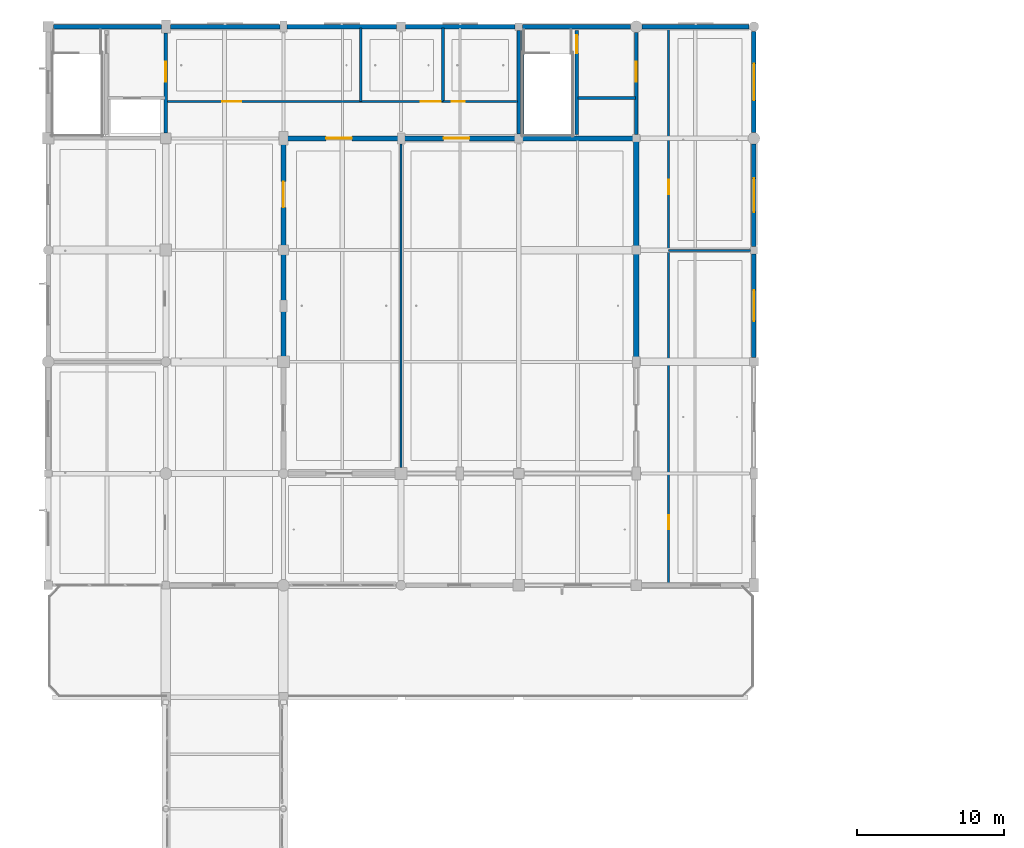
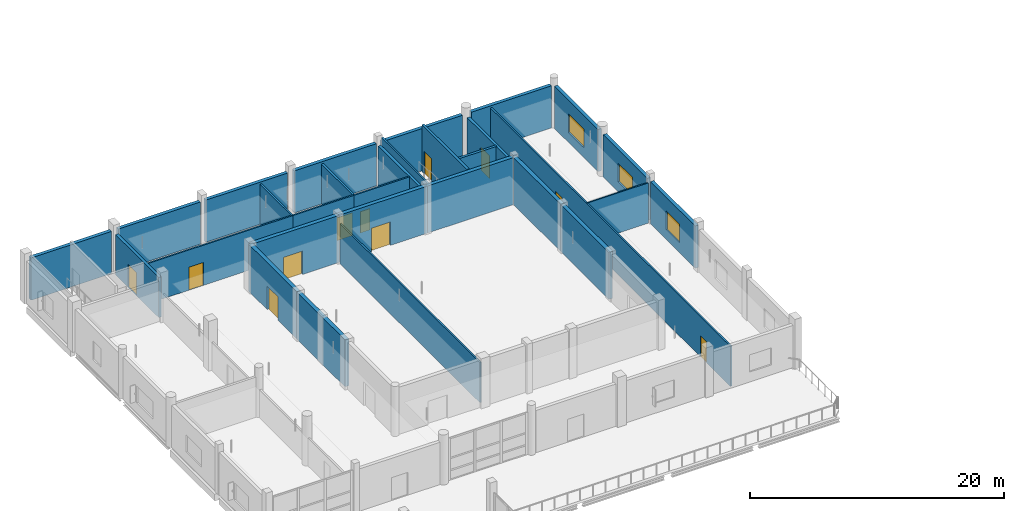
# One storey, part 93 of 141: 30 walls, 11 doors, 3 windows, 14 openings.
"""IFC4 building model written with IfcOpenShell, lengths in metres."""

import ifcopenshell
import ifcopenshell.guid

model = None  # the IFC model being written
_history = None  # IfcOwnerHistory: only IFC2X3 demands one
_inside = {}  # id of a spatial element -> (the spatial element, [elements in it])
_under = {}  # id of a project, library or spatial element -> (it, [spatial elements below it])
_declared = {}  # id of a project -> (the project, [libraries it declares])
_typed = {}  # id of a type object -> (the type object, [elements of that type])
_made_of = {}  # id of a material, layer set ... -> (it, [elements and type objects made of it])


def new_model(schema):
    """Start an empty IFC model of exactly this schema.

    Asked for "IFC4X3", IfcOpenShell would pick the latest addendum, in which some entities
    have other attributes; the version numbers below select the first issue.
    IFC2X3 requires an IfcOwnerHistory on every rooted entity: one is made here for all.
    """
    global model, _history
    if schema == "IFC4X3":
        model = ifcopenshell.file(schema_version=(4, 3, 0, 0))
    else:
        model = ifcopenshell.file(schema=schema)
    _inside.clear()
    _under.clear()
    _declared.clear()
    _typed.clear()
    _made_of.clear()
    _history = None
    if model.schema == "IFC2X3":
        org = make("IfcOrganization", Name="unknown")
        user = make(
            "IfcPersonAndOrganization",
            ThePerson=make("IfcPerson", FamilyName="unknown"),
            TheOrganization=org,
        )
        app = make(
            "IfcApplication",
            ApplicationDeveloper=org,
            Version="unknown",
            ApplicationFullName="unknown",
            ApplicationIdentifier="unknown",
        )
        _history = make(
            "IfcOwnerHistory",
            OwningUser=user,
            OwningApplication=app,
            ChangeAction="ADDED",
            CreationDate=0,
        )
    return model


def make(cls, **values):
    """One entity of the class cls with the attributes given. An attribute that is None is left unset."""
    return model.create_entity(
        cls, **{name: value for name, value in values.items() if value is not None}
    )


def rooted(cls, **values):
    """An entity with a GlobalId (a new one), such as an element, a storey or a relation."""
    return make(cls, GlobalId=ifcopenshell.guid.new(), OwnerHistory=_history, **values)


def si_unit(unit_type, name, prefix=None):
    """IfcSIUnit, for example si_unit("LENGTHUNIT", "METRE", prefix="MILLI")."""
    return make("IfcSIUnit", UnitType=unit_type, Prefix=prefix, Name=name)


def assignment(units):
    """IfcUnitAssignment: the units of a project."""
    return None if units is None else make("IfcUnitAssignment", Units=units)


def point(xyz):
    """IfcCartesianPoint."""
    return None if xyz is None else make("IfcCartesianPoint", Coordinates=xyz)


def direction(xyz):
    """IfcDirection."""
    return None if xyz is None else make("IfcDirection", DirectionRatios=xyz)


def frame(location, z_axis=None, x_axis=None):
    """IfcAxis2Placement3D, a coordinate frame: its origin and axes. An axis left out is left unset."""
    return make(
        "IfcAxis2Placement3D",
        Location=point(location),
        Axis=direction(z_axis),
        RefDirection=direction(x_axis),
    )


def frame_2d(location, x_axis=None):
    """IfcAxis2Placement2D, a coordinate frame in the plane: its origin and x axis."""
    return make(
        "IfcAxis2Placement2D", Location=point(location), RefDirection=direction(x_axis)
    )


def origin():
    """The frame at (0, 0, 0) with its axes left unset."""
    return frame((0.0, 0.0, 0.0))


def place(relative_to, where):
    """IfcLocalPlacement: puts the frame where relative to a parent placement (None: the world)."""
    return make(
        "IfcLocalPlacement", PlacementRelTo=relative_to, RelativePlacement=where
    )


def context(
    kind, dimensions, precision=None, world=None, true_north=None, identifier=None
):
    """IfcGeometricRepresentationContext, for example the 3D "Model" context."""
    return make(
        "IfcGeometricRepresentationContext",
        ContextIdentifier=identifier,
        ContextType=kind,
        CoordinateSpaceDimension=dimensions,
        Precision=precision,
        WorldCoordinateSystem=world,
        TrueNorth=true_north,
    )


def subcontext(parent, identifier, kind, view, scale=None):
    """IfcGeometricRepresentationSubContext, for example "Body" below "Model"."""
    return make(
        "IfcGeometricRepresentationSubContext",
        ContextIdentifier=identifier,
        ContextType=kind,
        ParentContext=parent,
        TargetScale=scale,
        TargetView=view,
    )


def project(units=None, contexts=None):
    """IfcProject with its units and contexts."""
    return rooted(
        "IfcProject",
        Name="project",
        RepresentationContexts=contexts,
        UnitsInContext=assignment(units),
    )


def spatial(cls, under=None, at=None, **own):
    """A site, building, storey or space (cls), placed at a placement, below another one or the project."""
    s = rooted(cls, ObjectPlacement=at, **own)
    if under is not None:
        _under.setdefault(under.id(), (under, []))[1].append(s)
    return s


def profile(cls, at=None, kind="AREA", **sizes):
    """A parametric profile (cls). Its sizes go by their IFC names, for example OverallWidth=200.0."""
    return make(cls, ProfileType=kind, Position=at, **sizes)


def rectangle(**sizes):
    """IfcRectangleProfileDef."""
    return profile("IfcRectangleProfileDef", **sizes)


def extrude(swept, where, along, depth):
    """IfcExtrudedAreaSolid: the profile swept, set in the frame where, extruded along a direction by depth."""
    return make(
        "IfcExtrudedAreaSolid",
        SweptArea=swept,
        Position=where,
        ExtrudedDirection=direction(along),
        Depth=depth,
    )


def shape(context_of_items, identifier, shape_type, items):
    """IfcShapeRepresentation: the items that make up one representation, for example the "Body"."""
    return make(
        "IfcShapeRepresentation",
        ContextOfItems=context_of_items,
        RepresentationIdentifier=identifier,
        RepresentationType=shape_type,
        Items=items,
    )


def material(Name=None, Category=None):
    """IfcMaterial."""
    return make("IfcMaterial", Name=Name, Category=Category)


def layer(
    of_material, thickness, ventilated=None, Name=None, Category=None, Priority=None
):
    """IfcMaterialLayer: one layer of a wall or slab, of a material (None: an air gap)."""
    return make(
        "IfcMaterialLayer",
        Material=of_material,
        LayerThickness=thickness,
        IsVentilated=ventilated,
        Name=Name,
        Category=Category,
        Priority=Priority,
    )


def layer_set(layers, Name=None):
    """IfcMaterialLayerSet."""
    return make("IfcMaterialLayerSet", MaterialLayers=layers, LayerSetName=Name)


def made_of(thing, what):
    """Note that an element or type object is made of a material, layer set ...; save() writes the relation."""
    if what is not None:
        _made_of.setdefault(what.id(), (what, []))[1].append(thing)
    return thing


def type_object(cls, material=None, **own):
    """A type object (cls), such as IfcWallType, which elements share."""
    return made_of(rooted(cls, **own), material)


def element(
    cls,
    number,
    at=None,
    inside=None,
    cuts=None,
    type_object=None,
    material=None,
    context=None,
    identifier="Body",
    shape_type=None,
    held_by="IfcProductDefinitionShape",
    body=None,
    shapes=None,
    **own,
):
    """One element of the class cls, such as IfcWall. Its Tag is "e" and its number.

    at: its placement. inside: the storey or other place that contains it. cuts: it is an
    opening in that element (IfcRelVoidsElement). A single representation is given by context,
    identifier, shape_type and body (its items); several are given by shapes. held_by: the class
    of the entity that holds the representations. save() writes the other relations.
    """
    e = rooted(cls, Tag="e%d" % number, ObjectPlacement=at, **own)
    if body is not None:
        shapes = [shape(context, identifier, shape_type, body)]
    if shapes is not None:
        e.Representation = make(held_by, Representations=shapes)
    if inside is not None:
        _inside.setdefault(inside.id(), (inside, []))[1].append(e)
    if cuts is not None:
        rooted(
            "IfcRelVoidsElement", RelatingBuildingElement=cuts, RelatedOpeningElement=e
        )
    if type_object is not None:
        _typed.setdefault(type_object.id(), (type_object, []))[1].append(e)
    return made_of(e, material)


def fill(opening, filler):
    """IfcRelFillsElement: the door or window that sits in an opening."""
    return rooted(
        "IfcRelFillsElement",
        RelatingOpeningElement=opening,
        RelatedBuildingElement=filler,
    )


def aggregate(whole, parts):
    """IfcRelAggregates: a whole, such as a stair, and the parts it consists of."""
    return rooted("IfcRelAggregates", RelatingObject=whole, RelatedObjects=parts)


def save(model, path):
    """Write the relations noted so far, then the file.

    IfcRelAggregates (storeys below a building ...), IfcRelContainedInSpatialStructure (elements
    in a storey), IfcRelDefinesByType, IfcRelAssociatesMaterial and IfcRelDeclares: one each for
    every whole, place, type object, material and project.
    """
    for whole, parts in _under.values():
        aggregate(whole, parts)
    for where, things in _inside.values():
        rooted(
            "IfcRelContainedInSpatialStructure",
            RelatedElements=things,
            RelatingStructure=where,
        )
    for kind, things in _typed.values():
        rooted("IfcRelDefinesByType", RelatedObjects=things, RelatingType=kind)
    for what, things in _made_of.values():
        rooted("IfcRelAssociatesMaterial", RelatedObjects=things, RelatingMaterial=what)
    for by, libraries in _declared.values():
        rooted("IfcRelDeclares", RelatingContext=by, RelatedDefinitions=libraries)
    model.write(path)


model = new_model("IFC4")

# Units and contexts
model_context = context("Model", 3, precision=1e-05, world=origin(), true_north=direction((0.0, 1.0)))
body_context = subcontext(model_context, "Body", "Model", "MODEL_VIEW")
ifc_project = project(units=[si_unit("LENGTHUNIT", "METRE"), si_unit("AREAUNIT", "SQUARE_METRE"), si_unit("VOLUMEUNIT", "CUBIC_METRE"), si_unit("PLANEANGLEUNIT", "RADIAN"), si_unit("MASSUNIT", "GRAM", prefix="KILO")], contexts=[model_context])

# Site, building, storey
site_placement = place(None, origin())
site = spatial("IfcSite", under=ifc_project, at=site_placement, CompositionType="ELEMENT")
building_placement = place(site_placement, origin())
building = spatial("IfcBuilding", under=site, at=building_placement, Name="Khelvaren Railside Concert Hall", CompositionType="ELEMENT")
storey_placement = place(building_placement, frame((0.0, 0.0, 10.199951171875)))
storey = spatial("IfcBuildingStorey", under=building, at=storey_placement, Name="L02", CompositionType="ELEMENT", Elevation=10.199951171875)

# Wall
ifc_material_1 = material(Name="Concrete C40/50", Category="concrete")
ifc_layer_1 = layer(ifc_material_1, 0.139892578125)
ifc_layer_set_1 = layer_set([ifc_layer_1], Name="Concrete C40/50")
wall_type_1 = type_object("IfcWallType", Name="CW17", PredefinedType="SOLIDWALL", material=ifc_layer_set_1)
wall_1_placement = place(storey_placement, frame((32.27490234375, 106.550048828125, 0.0), z_axis=(0.0, 0.0, 1.0), x_axis=(0.0, 1.0, 0.0)))
element("IfcWall", 1, at=wall_1_placement, inside=storey, type_object=wall_type_1, Name="Core Shaft Structural Liner Wall ST-08-L02", PredefinedType="SOLIDWALL", context=body_context, shape_type="SweptSolid", body=[
    extrude(rectangle(XDim=7.300048828125, YDim=0.139892578125, at=frame_2d((3.64990234375, 0.0))), origin(), (0.0, 0.0, 1.0), 4.52001953125),
])

# Wall, opening, door
ifc_layer_2 = layer(ifc_material_1, 0.25)
ifc_layer_set_2 = layer_set([ifc_layer_2], Name="Concrete C40/50")
wall_type_2 = type_object("IfcWallType", Name="CW82", PredefinedType="SOLIDWALL", material=ifc_layer_set_2)
wall_2_placement = place(storey_placement, frame((8.0, 106.75, 0.0), z_axis=(0.0, 0.0, 1.0), x_axis=(0.0, 1.0, 0.0)))
wall_2 = element("IfcWall", 2, at=wall_2_placement, inside=storey, type_object=wall_type_2, Name="Core Enclosure Wall CWALL-ST-07-L02-E", PredefinedType="SOLIDWALL", context=body_context, shape_type="SweptSolid", body=[
    extrude(rectangle(XDim=6.800048828125, YDim=0.25, at=frame_2d((3.39990234375, 0.0))), origin(), (0.0, 0.0, 1.0), 3.864990234375),
])
opening_1_placement = place(wall_2_placement, frame((3.5, 0.0, 0.0)))
opening_1 = element("IfcOpeningElement", 3, at=opening_1_placement, cuts=wall_2, Name="Opening FDR34", PredefinedType="OPENING", context=body_context, shape_type="SweptSolid", body=[
    extrude(rectangle(XDim=1.35009765625, YDim=2.199951171875, at=frame_2d((0.675048828125, 1.10009765625))), frame((0.0, 0.135009765625, 0.0), z_axis=(0.0, -1.0, 0.0), x_axis=(1.0, 0.0, 0.0)), (0.0, 0.0, 1.0), 0.27001953125),
])
ifc_material_2 = material(Name="Acoustic fire-rated timber-core steel frame door", Category="steel")
door_type_1 = type_object("IfcDoorType", Name="FDR34", OperationType="NOTDEFINED", PredefinedType="DOOR", material=ifc_material_2)
door_1_placement = place(opening_1_placement, origin())
door_1 = element("IfcDoor", 4, at=door_1_placement, inside=storey, type_object=door_type_1, Name="Interior Door DR-ST-07-L02-LOB", OperationType="SINGLE_SWING_LEFT", OverallHeight=2.199951171875, OverallWidth=1.35009765625, PredefinedType="DOOR", context=body_context, shape_type="SweptSolid", body=[
    extrude(rectangle(XDim=1.35009765625, YDim=2.199951171875, at=frame_2d((0.675048828125, 1.10009765625))), frame((0.0, 0.02490234375, 0.0), z_axis=(0.0, -1.0, 0.0), x_axis=(1.0, 0.0, 0.0)), (0.0, 0.0, 1.0), 0.050048828125),
])
fill(opening_1, door_1)

# Wall
wall_3_placement = place(storey_placement, frame((32.0, 106.699951171875, 0.0), z_axis=(0.0, 0.0, 1.0), x_axis=(0.0, 1.0, 0.0)))
element("IfcWall", 5, at=wall_3_placement, inside=storey, type_object=wall_type_2, Name="Core Enclosure Wall CWALL-ST-08-L02-W", PredefinedType="SOLIDWALL", context=body_context, shape_type="SweptSolid", body=[
    extrude(rectangle(XDim=7.050048828125, YDim=0.25, at=frame_2d((3.52490234375, 0.0))), origin(), (0.0, 0.0, 1.0), 3.864990234375),
])

# Wall, opening, door
wall_4_placement = place(storey_placement, frame((40.0, 106.64990234375, 0.0), z_axis=(0.0, 0.0, 1.0), x_axis=(0.0, 1.0, 0.0)))
wall_4 = element("IfcWall", 6, at=wall_4_placement, inside=storey, type_object=wall_type_2, Name="Core Enclosure Wall CWALL-ST-08-L02-E", PredefinedType="SOLIDWALL", context=body_context, shape_type="SweptSolid", body=[
    extrude(rectangle(XDim=6.9501953125, YDim=0.25, at=frame_2d((3.47509765625, 0.0))), origin(), (0.0, 0.0, 1.0), 3.864990234375),
])
opening_2_placement = place(wall_4_placement, frame((3.60009765625, 0.0, 0.0)))
opening_2 = element("IfcOpeningElement", 7, at=opening_2_placement, cuts=wall_4, Name="Opening FDR34", PredefinedType="OPENING", context=body_context, shape_type="SweptSolid", body=[
    extrude(rectangle(XDim=1.35009765625, YDim=2.199951171875, at=frame_2d((0.675048828125, 1.10009765625))), frame((0.0, 0.135009765625, 0.0), z_axis=(0.0, -1.0, 0.0), x_axis=(1.0, 0.0, 0.0)), (0.0, 0.0, 1.0), 0.27001953125),
])
door_2_placement = place(opening_2_placement, origin())
door_2 = element("IfcDoor", 8, at=door_2_placement, inside=storey, type_object=door_type_1, Name="Interior Door DR-ST-08-L02-LOB", OperationType="SINGLE_SWING_LEFT", OverallHeight=2.199951171875, OverallWidth=1.35009765625, PredefinedType="DOOR", context=body_context, shape_type="SweptSolid", body=[
    extrude(rectangle(XDim=1.35009765625, YDim=2.199951171875, at=frame_2d((0.675048828125, 1.10009765625))), frame((0.0, 0.02490234375, 0.0), z_axis=(0.0, -1.0, 0.0), x_axis=(1.0, 0.0, 0.0)), (0.0, 0.0, 1.0), 0.050048828125),
])
fill(opening_2, door_2)

ifc_layer_3 = layer(ifc_material_1, 0.219970703125)
ifc_layer_set_3 = layer_set([ifc_layer_3], Name="Concrete C40/50")
wall_type_3 = type_object("IfcWallType", Name="CW97", PredefinedType="SOLIDWALL", material=ifc_layer_set_3)
wall_5_placement = place(storey_placement, frame((35.949951171875, 106.64990234375, 0.0), z_axis=(0.0, 0.0, 1.0), x_axis=(0.0, 1.0, 0.0)))
wall_5 = element("IfcWall", 9, at=wall_5_placement, inside=storey, type_object=wall_type_3, Name="Core Enclosure Wall CWALL-ST-08-L02-MID", PredefinedType="SOLIDWALL", context=body_context, shape_type="SweptSolid", body=[
    extrude(rectangle(XDim=7.10009765625, YDim=0.219970703125, at=frame_2d((3.550048828125, 0.0))), origin(), (0.0, 0.0, 1.0), 4.52001953125),
])
opening_3_placement = place(wall_5_placement, frame((5.550048828125, 0.0, 0.0)))
opening_3 = element("IfcOpeningElement", 10, at=opening_3_placement, cuts=wall_5, Name="Opening FDR17", PredefinedType="OPENING", context=body_context, shape_type="SweptSolid", body=[
    extrude(rectangle(XDim=1.199951171875, YDim=2.14990234375, at=frame_2d((0.60009765625, 1.074951171875))), frame((0.0, 0.119873046875, 0.0), z_axis=(0.0, -1.0, 0.0), x_axis=(1.0, 0.0, 0.0)), (0.0, 0.0, 1.0), 0.239990234375),
])
door_type_2 = type_object("IfcDoorType", Name="FDR17", OperationType="NOTDEFINED", PredefinedType="DOOR", material=ifc_material_2)
door_3_placement = place(opening_3_placement, origin())
door_3 = element("IfcDoor", 11, at=door_3_placement, inside=storey, type_object=door_type_2, Name="Interior Door DR-ST-08-L02-ST", OperationType="SINGLE_SWING_RIGHT", OverallHeight=2.14990234375, OverallWidth=1.199951171875, PredefinedType="DOOR", context=body_context, shape_type="SweptSolid", body=[
    extrude(rectangle(XDim=1.199951171875, YDim=2.14990234375, at=frame_2d((0.60009765625, 1.074951171875))), frame((0.0, 0.02490234375, 0.0), z_axis=(0.0, -1.0, 0.0), x_axis=(1.0, 0.0, 0.0)), (0.0, 0.0, 1.0), 0.050048828125),
])
fill(opening_3, door_3)

# Walls
wall_6_placement = place(storey_placement, frame((36.02001953125, 109.14990234375, 0.0), z_axis=(0.0, 0.0, 1.0), x_axis=(1.0, 0.0, 0.0)))
element("IfcWall", 12, at=wall_6_placement, inside=storey, type_object=wall_type_3, Name="Core Enclosure Wall CWALL-ST-08-L02-SHF", PredefinedType="SOLIDWALL", context=body_context, shape_type="SweptSolid", body=[
    extrude(rectangle(XDim=3.929931640625, YDim=0.219970703125, at=frame_2d((1.96484375, 0.0))), origin(), (0.0, 0.0, 1.0), 3.864990234375),
])
ifc_material_3 = material(Name="Board-marked architectural concrete C40/50", Category="concrete")
ifc_layer_4 = layer(ifc_material_3, 0.31005859375)
ifc_layer_set_4 = layer_set([ifc_layer_4], Name="Board-marked architectural concrete C40/50")
wall_type_4 = type_object("IfcWallType", Name="EW33", PredefinedType="SOLIDWALL", material=ifc_layer_set_4)
wall_7_placement = place(storey_placement, frame((0.35009765625, 114.0, 0.0), z_axis=(0.0, 0.0, 1.0), x_axis=(1.0, 0.0, 0.0)))
element("IfcWall", 13, at=wall_7_placement, inside=storey, type_object=wall_type_4, Name="V4 L02 Exterior Concrete Wall N-0", PredefinedType="SOLIDWALL", context=body_context, shape_type="SweptSolid", body=[
    extrude(rectangle(XDim=7.349853515625, YDim=0.31005859375, at=frame_2d((3.6748046875, 0.0))), origin(), (0.0, 0.0, 1.0), 4.06005859375),
])
for number, where, z_axis, x_axis, name in (
    (14, (8.300048828125, 114.0, 0.0), (0.0, 0.0, 1.0), (1.0, 0.0, 0.0), "V4 L02 Exterior Concrete Wall N-8"),
    (15, (16.25, 114.0, 0.0), (0.0, 0.0, 1.0), (1.0, 0.0, 0.0), "V4 L02 Exterior Concrete Wall N-16"),
    (16, (24.300048828125, 114.0, 0.0), (0.0, 0.0, 1.0), (1.0, 0.0, 0.0), "V4 L02 Exterior Concrete Wall N-24"),
):
    element("IfcWall", number, at=place(storey_placement, frame(where, z_axis=z_axis, x_axis=x_axis)), inside=storey, type_object=wall_type_4, Name=name, PredefinedType="SOLIDWALL", context=body_context, shape_type="SweptSolid", body=[
        extrude(rectangle(XDim=7.449951171875, YDim=0.31005859375, at=frame_2d((3.72509765625, 0.0))), origin(), (0.0, 0.0, 1.0), 4.06005859375),
    ])
wall_8_placement = place(storey_placement, frame((32.25, 114.0, 0.0), z_axis=(0.0, 0.0, 1.0), x_axis=(1.0, 0.0, 0.0)))
element("IfcWall", 17, at=wall_8_placement, inside=storey, type_object=wall_type_4, Name="V4 L02 Exterior Concrete Wall N-32", PredefinedType="SOLIDWALL", context=body_context, shape_type="SweptSolid", body=[
    extrude(rectangle(XDim=7.35009765625, YDim=0.31005859375, at=frame_2d((3.675048828125, 0.0))), origin(), (0.0, 0.0, 1.0), 4.06005859375),
])
wall_9_placement = place(storey_placement, frame((40.39990234375, 114.0, 0.0), z_axis=(0.0, 0.0, 1.0), x_axis=(1.0, 0.0, 0.0)))
element("IfcWall", 18, at=wall_9_placement, inside=storey, type_object=wall_type_4, Name="V4 L02 Exterior Concrete Wall N-40", PredefinedType="SOLIDWALL", context=body_context, shape_type="SweptSolid", body=[
    extrude(rectangle(XDim=7.275146484375, YDim=0.31005859375, at=frame_2d((3.6376953125, 0.0))), origin(), (0.0, 0.0, 1.0), 4.06005859375),
])

# Wall, opening, window
wall_10_placement = place(storey_placement, frame((48.0, 98.550048828125, 0.0), z_axis=(0.0, 0.0, 1.0), x_axis=(0.0, -1.0, 0.0)))
wall_10 = element("IfcWall", 19, at=wall_10_placement, inside=storey, type_object=wall_type_4, Name="V4 L02 Exterior Concrete Wall E-91", PredefinedType="SOLIDWALL", context=body_context, shape_type="SweptSolid", body=[
    extrude(rectangle(XDim=7.050048828125, YDim=0.31005859375, at=frame_2d((3.52490234375, 0.0))), origin(), (0.0, 0.0, 1.0), 4.06005859375),
])
opening_4_placement = place(wall_10_placement, frame((2.47509765625, 0.0, 0.949951171875)))
opening_4 = element("IfcOpeningElement", 20, at=opening_4_placement, cuts=wall_10, Name="Opening WN14", PredefinedType="OPENING", context=body_context, shape_type="SweptSolid", body=[
    extrude(rectangle(XDim=2.10009765625, YDim=1.800048828125, at=frame_2d((1.050048828125, 0.89990234375))), frame((0.0, 0.1650390625, 0.0), z_axis=(0.0, -1.0, 0.0), x_axis=(1.0, 0.0, 0.0)), (0.0, 0.0, 1.0), 0.330078125),
])
ifc_material_4 = material(Name="Triple-glazed acoustic aluminium window", Category="aluminium")
window_type_1 = type_object("IfcWindowType", Name="WN14", PartitioningType="DOUBLE_PANEL_VERTICAL", PredefinedType="WINDOW", material=ifc_material_4)
window_1_placement = place(opening_4_placement, origin())
window_1 = element("IfcWindow", 21, at=window_1_placement, inside=storey, type_object=window_type_1, Name="Acoustic Facade Window EW-V4-L02-E-91", OverallHeight=1.800048828125, OverallWidth=2.10009765625, PartitioningType="DOUBLE_PANEL_VERTICAL", PredefinedType="WINDOW", context=body_context, shape_type="SweptSolid", body=[
    extrude(rectangle(XDim=2.10009765625, YDim=1.800048828125, at=frame_2d((1.050048828125, 0.89990234375))), frame((0.0, 0.030029296875, 0.0), z_axis=(0.0, -1.0, 0.0), x_axis=(1.0, 0.0, 0.0)), (0.0, 0.0, 1.0), 0.06005859375),
])
fill(opening_4, window_1)

wall_11_placement = place(storey_placement, frame((48.0, 106.0, 0.0), z_axis=(0.0, 0.0, 1.0), x_axis=(0.0, -1.0, 0.0)))
wall_11 = element("IfcWall", 22, at=wall_11_placement, inside=storey, type_object=wall_type_4, Name="V4 L02 Exterior Concrete Wall E-99", PredefinedType="SOLIDWALL", context=body_context, shape_type="SweptSolid", body=[
    extrude(rectangle(XDim=6.949951171875, YDim=0.31005859375, at=frame_2d((3.47509765625, 0.0))), origin(), (0.0, 0.0, 1.0), 4.06005859375),
])
opening_5_placement = place(wall_11_placement, frame((2.324951171875, 0.0, 0.949951171875)))
opening_5 = element("IfcOpeningElement", 23, at=opening_5_placement, cuts=wall_11, Name="Opening WN63", PredefinedType="OPENING", context=body_context, shape_type="SweptSolid", body=[
    extrude(rectangle(XDim=2.300048828125, YDim=1.800048828125, at=frame_2d((1.14990234375, 0.89990234375))), frame((0.0, 0.1650390625, 0.0), z_axis=(0.0, -1.0, 0.0), x_axis=(1.0, 0.0, 0.0)), (0.0, 0.0, 1.0), 0.330078125),
])
window_type_2 = type_object("IfcWindowType", Name="WN63", PartitioningType="DOUBLE_PANEL_VERTICAL", PredefinedType="WINDOW", material=ifc_material_4)
window_2_placement = place(opening_5_placement, origin())
window_2 = element("IfcWindow", 24, at=window_2_placement, inside=storey, type_object=window_type_2, Name="Acoustic Facade Window EW-V4-L02-E-99", OverallHeight=1.800048828125, OverallWidth=2.300048828125, PartitioningType="DOUBLE_PANEL_VERTICAL", PredefinedType="WINDOW", context=body_context, shape_type="SweptSolid", body=[
    extrude(rectangle(XDim=2.300048828125, YDim=1.800048828125, at=frame_2d((1.14990234375, 0.89990234375))), frame((0.0, 0.030029296875, 0.0), z_axis=(0.0, -1.0, 0.0), x_axis=(1.0, 0.0, 0.0)), (0.0, 0.0, 1.0), 0.06005859375),
])
fill(opening_5, window_2)

wall_12_placement = place(storey_placement, frame((48.0, 113.675048828125, 0.0), z_axis=(0.0, 0.0, 1.0), x_axis=(0.0, -1.0, 0.0)))
wall_12 = element("IfcWall", 25, at=wall_12_placement, inside=storey, type_object=wall_type_4, Name="V4 L02 Exterior Concrete Wall E-106", PredefinedType="SOLIDWALL", context=body_context, shape_type="SweptSolid", body=[
    extrude(rectangle(XDim=6.875, YDim=0.31005859375, at=frame_2d((3.4375, 0.0))), origin(), (0.0, 0.0, 1.0), 4.06005859375),
])
opening_6_placement = place(wall_12_placement, frame((2.1875, 0.0, 0.949951171875)))
opening_6 = element("IfcOpeningElement", 26, at=opening_6_placement, cuts=wall_12, Name="Opening WN27", PredefinedType="OPENING", context=body_context, shape_type="SweptSolid", body=[
    extrude(rectangle(XDim=2.5, YDim=1.800048828125, at=frame_2d((1.25, 0.89990234375))), frame((0.0, 0.1650390625, 0.0), z_axis=(0.0, -1.0, 0.0), x_axis=(1.0, 0.0, 0.0)), (0.0, 0.0, 1.0), 0.330078125),
])
window_type_3 = type_object("IfcWindowType", Name="WN27", PartitioningType="DOUBLE_PANEL_VERTICAL", PredefinedType="WINDOW", material=ifc_material_4)
window_3_placement = place(opening_6_placement, origin())
window_3 = element("IfcWindow", 27, at=window_3_placement, inside=storey, type_object=window_type_3, Name="Acoustic Facade Window EW-V4-L02-E-106", OverallHeight=1.800048828125, OverallWidth=2.5, PartitioningType="DOUBLE_PANEL_VERTICAL", PredefinedType="WINDOW", context=body_context, shape_type="SweptSolid", body=[
    extrude(rectangle(XDim=2.5, YDim=1.800048828125, at=frame_2d((1.25, 0.89990234375))), frame((0.0, 0.030029296875, 0.0), z_axis=(0.0, -1.0, 0.0), x_axis=(1.0, 0.0, 0.0)), (0.0, 0.0, 1.0), 0.06005859375),
])
fill(opening_6, window_3)

# Walls
ifc_material_5 = material(Name="Acoustic double-stud gypsum partition", Category="gypsum")
ifc_layer_5 = layer(ifc_material_5, 0.139892578125)
ifc_layer_set_5 = layer_set([ifc_layer_5], Name="Acoustic double-stud gypsum partition")
wall_type_5 = type_object("IfcWallType", Name="PT41", PredefinedType="PARTITIONING", material=ifc_layer_set_5)
wall_13_placement = place(storey_placement, frame((24.0, 84.0, 0.0), z_axis=(0.0, 0.0, 1.0), x_axis=(0.0, 1.0, 0.0)))
element("IfcWall", 28, at=wall_13_placement, inside=storey, type_object=wall_type_5, Name="Acoustic Partition Wall PW-V4-L02-MID-D01", PredefinedType="PARTITIONING", context=body_context, shape_type="SweptSolid", body=[
    extrude(rectangle(XDim=22.02490234375, YDim=0.139892578125, at=frame_2d((11.012451171875, 0.0))), origin(), (0.0, 0.0, 1.0), 3.864990234375),
])
ifc_layer_6 = layer(ifc_material_5, 0.179931640625)
ifc_layer_set_6 = layer_set([ifc_layer_6], Name="Acoustic double-stud gypsum partition")
wall_type_6 = type_object("IfcWallType", Name="PT53", PredefinedType="PARTITIONING", material=ifc_layer_set_6)
wall_14_placement = place(storey_placement, frame((26.847900390625, 108.89990234375, 0.0), z_axis=(0.0, 0.0, 1.0), x_axis=(0.0, 1.0, 0.0)))
element("IfcWall", 29, at=wall_14_placement, inside=storey, type_object=wall_type_6, Name="Acoustic Partition Wall PW-V4-L02-NB-D02", PredefinedType="PARTITIONING", context=body_context, shape_type="SweptSolid", body=[
    extrude(rectangle(XDim=5.02001953125, YDim=0.179931640625, at=frame_2d((2.510009765625, 0.0))), origin(), (0.0, 0.0, 1.0), 3.864990234375),
])

# Wall, opening, door
ifc_layer_7 = layer(ifc_material_5, 0.139892578125)
ifc_layer_set_7 = layer_set([ifc_layer_7], Name="Acoustic double-stud gypsum partition")
wall_type_7 = type_object("IfcWallType", Name="PT55", PredefinedType="PARTITIONING", material=ifc_layer_set_7)
wall_15_placement = place(storey_placement, frame((8.080078125, 108.89990234375, 0.0), z_axis=(0.0, 0.0, 1.0), x_axis=(1.0, 0.0, 0.0)))
wall_15 = element("IfcWall", 30, at=wall_15_placement, inside=storey, type_object=wall_type_7, Name="Acoustic Partition Wall PW-V4-L02-NB-C01", PredefinedType="PARTITIONING", context=body_context, shape_type="SweptSolid", body=[
    extrude(rectangle(XDim=13.18798828125, YDim=0.139892578125, at=frame_2d((6.593994140625, 0.0))), origin(), (0.0, 0.0, 1.0), 3.864990234375),
])
opening_7_placement = place(wall_15_placement, frame((3.744384765625, 0.0, 0.0)))
opening_7 = element("IfcOpeningElement", 31, at=opening_7_placement, cuts=wall_15, Name="Opening IDR18", PredefinedType="OPENING", context=body_context, shape_type="SweptSolid", body=[
    extrude(rectangle(XDim=1.300048828125, YDim=2.199951171875, at=frame_2d((0.64990234375, 1.10009765625))), frame((0.0, 0.079833984375, 0.0), z_axis=(0.0, -1.0, 0.0), x_axis=(1.0, 0.0, 0.0)), (0.0, 0.0, 1.0), 0.159912109375),
])
ifc_material_6 = material(Name="Solid oak acoustic studio door", Category="wood")
door_type_3 = type_object("IfcDoorType", Name="IDR18", OperationType="NOTDEFINED", PredefinedType="DOOR", material=ifc_material_6)
door_4_placement = place(opening_7_placement, origin())
door_4 = element("IfcDoor", 32, at=door_4_placement, inside=storey, type_object=door_type_3, Name="Interior Door DR-V4-L02-NB-01", OperationType="SINGLE_SWING_LEFT", OverallHeight=2.199951171875, OverallWidth=1.300048828125, PredefinedType="DOOR", context=body_context, shape_type="SweptSolid", body=[
    extrude(rectangle(XDim=1.300048828125, YDim=2.199951171875, at=frame_2d((0.64990234375, 1.10009765625))), frame((0.0, 0.02490234375, 0.0), z_axis=(0.0, -1.0, 0.0), x_axis=(1.0, 0.0, 0.0)), (0.0, 0.0, 1.0), 0.050048828125),
])
fill(opening_7, door_4)

wall_16_placement = place(storey_placement, frame((21.26806640625, 108.89990234375, 0.0), z_axis=(0.0, 0.0, 1.0), x_axis=(1.0, 0.0, 0.0)))
wall_16 = element("IfcWall", 33, at=wall_16_placement, inside=storey, type_object=wall_type_7, Name="Acoustic Partition Wall PW-V4-L02-NB-C02", PredefinedType="PARTITIONING", context=body_context, shape_type="SweptSolid", body=[
    extrude(rectangle(XDim=5.579833984375, YDim=0.139892578125, at=frame_2d((2.7900390625, 0.0))), origin(), (0.0, 0.0, 1.0), 3.864990234375),
])
opening_8_placement = place(wall_16_placement, frame((4.06005859375, 0.0, 0.0)))
opening_8 = element("IfcOpeningElement", 34, at=opening_8_placement, cuts=wall_16, Name="Opening IDR82", PredefinedType="OPENING", context=body_context, shape_type="SweptSolid", body=[
    extrude(rectangle(XDim=1.3798828125, YDim=2.199951171875, at=frame_2d((0.68994140625, 1.10009765625))), frame((0.0, 0.079833984375, 0.0), z_axis=(0.0, -1.0, 0.0), x_axis=(1.0, 0.0, 0.0)), (0.0, 0.0, 1.0), 0.159912109375),
])
door_type_4 = type_object("IfcDoorType", Name="IDR82", OperationType="NOTDEFINED", PredefinedType="DOOR", material=ifc_material_6)
door_5_placement = place(opening_8_placement, origin())
door_5 = element("IfcDoor", 35, at=door_5_placement, inside=storey, type_object=door_type_4, Name="Interior Door DR-V4-L02-NB-02", OperationType="SINGLE_SWING_RIGHT", OverallHeight=2.199951171875, OverallWidth=1.3798828125, PredefinedType="DOOR", context=body_context, shape_type="SweptSolid", body=[
    extrude(rectangle(XDim=1.3798828125, YDim=2.199951171875, at=frame_2d((0.68994140625, 1.10009765625))), frame((0.0, 0.02490234375, 0.0), z_axis=(0.0, -1.0, 0.0), x_axis=(1.0, 0.0, 0.0)), (0.0, 0.0, 1.0), 0.050048828125),
])
fill(opening_8, door_5)

wall_17_placement = place(storey_placement, frame((26.847900390625, 108.89990234375, 0.0), z_axis=(0.0, 0.0, 1.0), x_axis=(1.0, 0.0, 0.0)))
wall_17 = element("IfcWall", 36, at=wall_17_placement, inside=storey, type_object=wall_type_7, Name="Acoustic Partition Wall PW-V4-L02-NB-C03", PredefinedType="PARTITIONING", context=body_context, shape_type="SweptSolid", body=[
    extrude(rectangle(XDim=5.072021484375, YDim=0.139892578125, at=frame_2d((2.5361328125, 0.0))), origin(), (0.0, 0.0, 1.0), 3.864990234375),
])
opening_9_placement = place(wall_17_placement, frame((0.583251953125, 0.0, 0.0)))
opening_9 = element("IfcOpeningElement", 37, at=opening_9_placement, cuts=wall_17, Name="Opening IDR59", PredefinedType="OPENING", context=body_context, shape_type="SweptSolid", body=[
    extrude(rectangle(XDim=0.89990234375, YDim=2.050048828125, at=frame_2d((0.449951171875, 1.02490234375))), frame((0.0, 0.079833984375, 0.0), z_axis=(0.0, -1.0, 0.0), x_axis=(1.0, 0.0, 0.0)), (0.0, 0.0, 1.0), 0.159912109375),
])
door_type_5 = type_object("IfcDoorType", Name="IDR59", OperationType="NOTDEFINED", PredefinedType="DOOR", material=ifc_material_6)
door_6_placement = place(opening_9_placement, origin())
door_6 = element("IfcDoor", 38, at=door_6_placement, inside=storey, type_object=door_type_5, Name="Interior Door DR-V4-L02-NB-03", OperationType="SINGLE_SWING_LEFT", OverallHeight=2.050048828125, OverallWidth=0.89990234375, PredefinedType="DOOR", context=body_context, shape_type="SweptSolid", body=[
    extrude(rectangle(XDim=0.89990234375, YDim=2.050048828125, at=frame_2d((0.449951171875, 1.02490234375))), frame((0.0, 0.02490234375, 0.0), z_axis=(0.0, -1.0, 0.0), x_axis=(1.0, 0.0, 0.0)), (0.0, 0.0, 1.0), 0.050048828125),
])
fill(opening_9, door_6)

# Wall, openings, doors
wall_18_placement = place(storey_placement, frame((42.199951171875, 76.080078125, 0.0), z_axis=(0.0, 0.0, 1.0), x_axis=(0.0, 1.0, 0.0)))
wall_18 = element("IfcWall", 39, at=wall_18_placement, inside=storey, type_object=wall_type_7, Name="Acoustic Partition Wall PW-V4-L02-EB-W", PredefinedType="PARTITIONING", context=body_context, shape_type="SweptSolid", body=[
    extrude(rectangle(XDim=37.83984375, YDim=0.139892578125, at=frame_2d((18.919921875, 0.0))), origin(), (0.0, 0.0, 1.0), 3.864990234375),
])
opening_10_placement = place(wall_18_placement, frame((3.719970703125, 0.0, 0.0)))
opening_10 = element("IfcOpeningElement", 40, at=opening_10_placement, cuts=wall_18, Name="Opening IDR23", PredefinedType="OPENING", context=body_context, shape_type="SweptSolid", body=[
    extrude(rectangle(XDim=0.97998046875, YDim=2.050048828125, at=frame_2d((0.489990234375, 1.02490234375))), frame((0.0, 0.079833984375, 0.0), z_axis=(0.0, -1.0, 0.0), x_axis=(1.0, 0.0, 0.0)), (0.0, 0.0, 1.0), 0.159912109375),
])
opening_11_placement = place(wall_18_placement, frame((26.52001953125, 0.0, 0.0)))
opening_11 = element("IfcOpeningElement", 41, at=opening_11_placement, cuts=wall_18, Name="Opening IDR21", PredefinedType="OPENING", context=body_context, shape_type="SweptSolid", body=[
    extrude(rectangle(XDim=1.0, YDim=2.050048828125, at=frame_2d((0.5, 1.02490234375))), frame((0.0, 0.079833984375, 0.0), z_axis=(0.0, -1.0, 0.0), x_axis=(1.0, 0.0, 0.0)), (0.0, 0.0, 1.0), 0.159912109375),
])
door_type_6 = type_object("IfcDoorType", Name="IDR21", OperationType="NOTDEFINED", PredefinedType="DOOR", material=ifc_material_6)
door_7_placement = place(opening_11_placement, origin())
door_7 = element("IfcDoor", 42, at=door_7_placement, inside=storey, type_object=door_type_6, Name="Interior Door DR-V4-L02-EB-02", OperationType="SINGLE_SWING_LEFT", OverallHeight=2.050048828125, OverallWidth=1.0, PredefinedType="DOOR", context=body_context, shape_type="SweptSolid", body=[
    extrude(rectangle(XDim=1.0, YDim=2.050048828125, at=frame_2d((0.5, 1.02490234375))), frame((0.0, 0.02490234375, 0.0), z_axis=(0.0, -1.0, 0.0), x_axis=(1.0, 0.0, 0.0)), (0.0, 0.0, 1.0), 0.050048828125),
])
fill(opening_11, door_7)
door_type_7 = type_object("IfcDoorType", Name="IDR23", OperationType="NOTDEFINED", PredefinedType="DOOR", material=ifc_material_6)
door_8_placement = place(opening_10_placement, origin())
door_8 = element("IfcDoor", 43, at=door_8_placement, inside=storey, type_object=door_type_7, Name="Interior Door DR-V4-L02-EB-01", OperationType="SINGLE_SWING_RIGHT", OverallHeight=2.050048828125, OverallWidth=0.97998046875, PredefinedType="DOOR", context=body_context, shape_type="SweptSolid", body=[
    extrude(rectangle(XDim=0.97998046875, YDim=2.050048828125, at=frame_2d((0.489990234375, 1.02490234375))), frame((0.0, 0.02490234375, 0.0), z_axis=(0.0, -1.0, 0.0), x_axis=(1.0, 0.0, 0.0)), (0.0, 0.0, 1.0), 0.050048828125),
])
fill(opening_10, door_8)

# Walls
ifc_layer_8 = layer(ifc_material_5, 0.1201171875)
ifc_layer_set_8 = layer_set([ifc_layer_8], Name="Acoustic double-stud gypsum partition")
wall_type_8 = type_object("IfcWallType", Name="PT74", PredefinedType="PARTITIONING", material=ifc_layer_set_8)
wall_19_placement = place(storey_placement, frame((42.199951171875, 98.780029296875, 0.0), z_axis=(0.0, 0.0, 1.0), x_axis=(1.0, 0.0, 0.0)))
element("IfcWall", 44, at=wall_19_placement, inside=storey, type_object=wall_type_8, Name="Acoustic Partition Wall PW-V4-L02-EB-D01", PredefinedType="PARTITIONING", context=body_context, shape_type="SweptSolid", body=[
    extrude(rectangle(XDim=5.550048828125, YDim=0.1201171875, at=frame_2d((2.77490234375, 0.0))), origin(), (0.0, 0.0, 1.0), 3.864990234375),
])
ifc_layer_9 = layer(ifc_material_5, 0.159912109375)
ifc_layer_set_9 = layer_set([ifc_layer_9], Name="Acoustic double-stud gypsum partition")
wall_type_9 = type_object("IfcWallType", Name="PT97", PredefinedType="PARTITIONING", material=ifc_layer_set_9)
wall_20_placement = place(storey_placement, frame((21.26806640625, 108.89990234375, 0.0), z_axis=(0.0, 0.0, 1.0), x_axis=(0.0, 1.0, 0.0)))
element("IfcWall", 45, at=wall_20_placement, inside=storey, type_object=wall_type_9, Name="Acoustic Partition Wall PW-V4-L02-NB-D01", PredefinedType="PARTITIONING", context=body_context, shape_type="SweptSolid", body=[
    extrude(rectangle(XDim=5.02001953125, YDim=0.159912109375, at=frame_2d((2.510009765625, 0.0))), origin(), (0.0, 0.0, 1.0), 3.864990234375),
])

# Wall, opening, door
ifc_layer_10 = layer(ifc_material_1, 0.35009765625)
ifc_layer_set_10 = layer_set([ifc_layer_10], Name="Concrete C40/50")
wall_type_10 = type_object("IfcWallType", Name="SW91", PredefinedType="SHEAR", material=ifc_layer_set_10)
wall_21_placement = place(storey_placement, frame((16.0, 106.39990234375, 0.0), z_axis=(0.0, 0.0, 1.0), x_axis=(1.0, 0.0, 0.0)))
wall_21 = element("IfcWall", 46, at=wall_21_placement, inside=storey, type_object=wall_type_10, Name="V4 Chamber Box Shear Wall L02 N1", PredefinedType="SHEAR", context=body_context, shape_type="SweptSolid", body=[
    extrude(rectangle(XDim=8.0, YDim=0.35009765625, at=frame_2d((4.0, 0.0))), origin(), (0.0, 0.0, 1.0), 4.52001953125),
])
opening_12_placement = place(wall_21_placement, frame((2.89990234375, 0.0, 0.0)))
opening_12 = element("IfcOpeningElement", 47, at=opening_12_placement, cuts=wall_21, Name="Opening ADR83", PredefinedType="OPENING", context=body_context, shape_type="SweptSolid", body=[
    extrude(rectangle(XDim=1.75, YDim=2.25, at=frame_2d((0.875, 1.125))), frame((0.0, 0.18505859375, 0.0), z_axis=(0.0, -1.0, 0.0), x_axis=(1.0, 0.0, 0.0)), (0.0, 0.0, 1.0), 0.3701171875),
])
ifc_material_7 = material(Name="Heavy acoustic double sound-lock fire door", Category="wood")
door_type_8 = type_object("IfcDoorType", Name="ADR83", OperationType="DOUBLE_DOOR_SINGLE_SWING", PredefinedType="DOOR", material=ifc_material_7)
door_9_placement = place(opening_12_placement, origin())
door_9 = element("IfcDoor", 48, at=door_9_placement, inside=storey, type_object=door_type_8, Name="Chamber Music Hall Acoustic Sound-Lock Door L02-N1", OperationType="DOUBLE_DOOR_SINGLE_SWING", OverallHeight=2.25, OverallWidth=1.75, PredefinedType="DOOR", context=body_context, shape_type="SweptSolid", body=[
    extrude(rectangle(XDim=1.75, YDim=2.25, at=frame_2d((0.875, 1.125))), frame((0.0, 0.02490234375, 0.0), z_axis=(0.0, -1.0, 0.0), x_axis=(1.0, 0.0, 0.0)), (0.0, 0.0, 1.0), 0.050048828125),
])
fill(opening_12, door_9)

wall_22_placement = place(storey_placement, frame((24.0, 106.39990234375, 0.0), z_axis=(0.0, 0.0, 1.0), x_axis=(1.0, 0.0, 0.0)))
wall_22 = element("IfcWall", 49, at=wall_22_placement, inside=storey, type_object=wall_type_10, Name="V4 Chamber Box Shear Wall L02 N2", PredefinedType="SHEAR", context=body_context, shape_type="SweptSolid", body=[
    extrude(rectangle(XDim=8.0, YDim=0.35009765625, at=frame_2d((4.0, 0.0))), origin(), (0.0, 0.0, 1.0), 4.52001953125),
])
opening_13_placement = place(wall_22_placement, frame((2.89990234375, 0.0, 0.0)))
opening_13 = element("IfcOpeningElement", 50, at=opening_13_placement, cuts=wall_22, Name="Opening ADR83", PredefinedType="OPENING", context=body_context, shape_type="SweptSolid", body=[
    extrude(rectangle(XDim=1.75, YDim=2.25, at=frame_2d((0.875, 1.125))), frame((0.0, 0.18505859375, 0.0), z_axis=(0.0, -1.0, 0.0), x_axis=(1.0, 0.0, 0.0)), (0.0, 0.0, 1.0), 0.3701171875),
])
door_10_placement = place(opening_13_placement, origin())
door_10 = element("IfcDoor", 51, at=door_10_placement, inside=storey, type_object=door_type_8, Name="Chamber Music Hall Acoustic Sound-Lock Door L02-N2", OperationType="DOUBLE_DOOR_SINGLE_SWING", OverallHeight=2.25, OverallWidth=1.75, PredefinedType="DOOR", context=body_context, shape_type="SweptSolid", body=[
    extrude(rectangle(XDim=1.75, YDim=2.25, at=frame_2d((0.875, 1.125))), frame((0.0, 0.02490234375, 0.0), z_axis=(0.0, -1.0, 0.0), x_axis=(1.0, 0.0, 0.0)), (0.0, 0.0, 1.0), 0.050048828125),
])
fill(opening_13, door_10)

# Walls
wall_23_placement = place(storey_placement, frame((32.0, 106.39990234375, 0.0), z_axis=(0.0, 0.0, 1.0), x_axis=(1.0, 0.0, 0.0)))
element("IfcWall", 52, at=wall_23_placement, inside=storey, type_object=wall_type_10, Name="V4 Chamber Box Shear Wall L02 N3", PredefinedType="SHEAR", context=body_context, shape_type="SweptSolid", body=[
    extrude(rectangle(XDim=8.0, YDim=0.35009765625, at=frame_2d((4.0, 0.0))), origin(), (0.0, 0.0, 1.0), 4.52001953125),
])
wall_24_placement = place(storey_placement, frame((16.0, 91.199951171875, 0.0), z_axis=(0.0, 0.0, 1.0), x_axis=(0.0, 1.0, 0.0)))
element("IfcWall", 53, at=wall_24_placement, inside=storey, type_object=wall_type_10, Name="V4 Chamber Box Shear Wall L02 W2", PredefinedType="SHEAR", context=body_context, shape_type="SweptSolid", body=[
    extrude(rectangle(XDim=7.60009765625, YDim=0.35009765625, at=frame_2d((3.800048828125, 0.0))), origin(), (0.0, 0.0, 1.0), 4.52001953125),
])

# Wall, opening, door
wall_25_placement = place(storey_placement, frame((16.0, 98.800048828125, 0.0), z_axis=(0.0, 0.0, 1.0), x_axis=(0.0, 1.0, 0.0)))
wall_25 = element("IfcWall", 54, at=wall_25_placement, inside=storey, type_object=wall_type_10, Name="V4 Chamber Box Shear Wall L02 W3", PredefinedType="SHEAR", context=body_context, shape_type="SweptSolid", body=[
    extrude(rectangle(XDim=7.599853515625, YDim=0.35009765625, at=frame_2d((3.7998046875, 0.0))), origin(), (0.0, 0.0, 1.0), 4.52001953125),
])
opening_14_placement = place(wall_25_placement, frame((2.89990234375, 0.0, 0.0)))
opening_14 = element("IfcOpeningElement", 55, at=opening_14_placement, cuts=wall_25, Name="Opening ADR83", PredefinedType="OPENING", context=body_context, shape_type="SweptSolid", body=[
    extrude(rectangle(XDim=1.75, YDim=2.25, at=frame_2d((0.875, 1.125))), frame((0.0, 0.18505859375, 0.0), z_axis=(0.0, -1.0, 0.0), x_axis=(1.0, 0.0, 0.0)), (0.0, 0.0, 1.0), 0.3701171875),
])
door_11_placement = place(opening_14_placement, origin())
door_11 = element("IfcDoor", 56, at=door_11_placement, inside=storey, type_object=door_type_8, Name="Chamber Music Hall Acoustic Sound-Lock Door L02-W3", OperationType="DOUBLE_DOOR_SINGLE_SWING", OverallHeight=2.25, OverallWidth=1.75, PredefinedType="DOOR", context=body_context, shape_type="SweptSolid", body=[
    extrude(rectangle(XDim=1.75, YDim=2.25, at=frame_2d((0.875, 1.125))), frame((0.0, 0.02490234375, 0.0), z_axis=(0.0, -1.0, 0.0), x_axis=(1.0, 0.0, 0.0)), (0.0, 0.0, 1.0), 0.050048828125),
])
fill(opening_14, door_11)

# Walls
wall_26_placement = place(storey_placement, frame((40.0, 91.199951171875, 0.0), z_axis=(0.0, 0.0, 1.0), x_axis=(0.0, 1.0, 0.0)))
element("IfcWall", 57, at=wall_26_placement, inside=storey, type_object=wall_type_10, Name="V4 Chamber Box Shear Wall L02 E2", PredefinedType="SHEAR", context=body_context, shape_type="SweptSolid", body=[
    extrude(rectangle(XDim=7.60009765625, YDim=0.35009765625, at=frame_2d((3.800048828125, 0.0))), origin(), (0.0, 0.0, 1.0), 4.52001953125),
])
wall_27_placement = place(storey_placement, frame((40.0, 98.800048828125, 0.0), z_axis=(0.0, 0.0, 1.0), x_axis=(0.0, 1.0, 0.0)))
element("IfcWall", 58, at=wall_27_placement, inside=storey, type_object=wall_type_10, Name="V4 Chamber Box Shear Wall L02 E3", PredefinedType="SHEAR", context=body_context, shape_type="SweptSolid", body=[
    extrude(rectangle(XDim=7.599853515625, YDim=0.35009765625, at=frame_2d((3.7998046875, 0.0))), origin(), (0.0, 0.0, 1.0), 4.52001953125),
])

save(model, "model.ifc")
